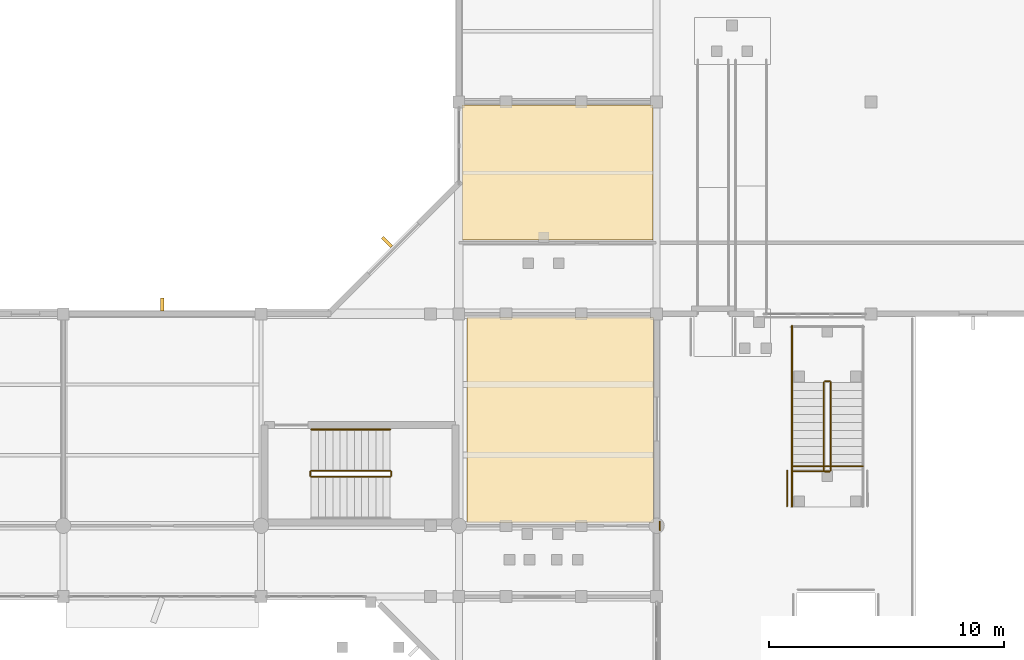
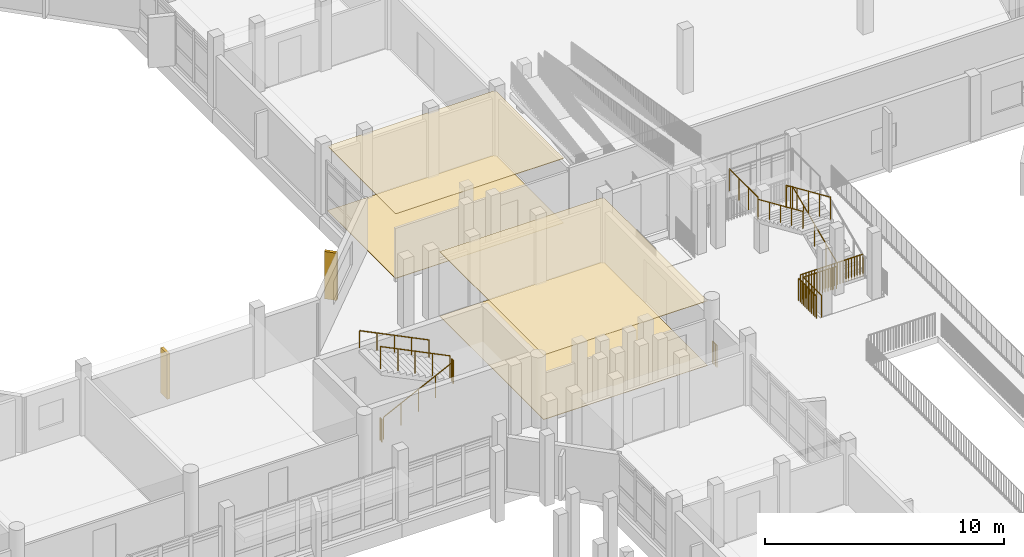
# One storey, part 87 of 104: 16 railings, 4 coverings, 2 shading devices.
"""IFC4 building model written with IfcOpenShell, lengths in metres."""

from ifc_helpers import new_model, si_unit, direction, frame, origin, origin_2d, place, context, subcontext, project, spatial, polyline, rectangle, circle, outline, extrude, material, layer, layer_set, type_object, element, save


model = new_model("IFC4")

# Units and contexts
model_context = context("Model", 3, precision=1e-05, world=origin(), true_north=direction((0.0, 1.0)))
body_context = subcontext(model_context, "Body", "Model", "MODEL_VIEW")
ifc_project = project(units=[si_unit("LENGTHUNIT", "METRE"), si_unit("AREAUNIT", "SQUARE_METRE"), si_unit("VOLUMEUNIT", "CUBIC_METRE"), si_unit("PLANEANGLEUNIT", "RADIAN"), si_unit("MASSUNIT", "GRAM", prefix="KILO")], contexts=[model_context])

# Site, building, storey
site_placement = place(None, origin())
site = spatial("IfcSite", under=ifc_project, at=site_placement, CompositionType="ELEMENT")
building_placement = place(site_placement, origin())
building = spatial("IfcBuilding", under=site, at=building_placement, Name="Vanh Quang Courtyard School", CompositionType="ELEMENT")
storey_placement = place(building_placement, frame((0.0, 0.0, 4.199951171875)))
storey = spatial("IfcBuildingStorey", under=building, at=storey_placement, Name="L01", CompositionType="ELEMENT", Elevation=4.199951171875)

# Coverings
ifc_material_1 = material(Name="Perforated mineral-fibre acoustic ceiling board")
ifc_layer_1 = layer(ifc_material_1, 0.02490234375)
ifc_layer_set_1 = layer_set([ifc_layer_1], Name="Perforated mineral-fibre acoustic ceiling board")
covering_type_1 = type_object("IfcCoveringType", Name="COV-CEIL-ACOUSTIC", PredefinedType="CEILING", material=ifc_layer_set_1)
covering_1_placement = place(storey_placement, frame((0.0, 0.0, 3.295166015625)))
element("IfcCovering", 1, at=covering_1_placement, inside=storey, type_object=covering_type_1, Name="Covering CV-CL1 (L01)", PredefinedType="CEILING", context=body_context, shape_type="SweptSolid", body=[
    extrude(outline(polyline([(111.35009765625, 32.530029296875), (111.35009765625, 41.25), (119.260009765625, 41.25), (119.260986328125, 41.25), (119.261962890625, 41.249755859375), (119.262939453125, 41.24951171875), (119.263916015625, 41.249267578125), (119.2646484375, 41.248779296875), (119.265625, 41.248291015625), (119.266357421875, 41.247802734375), (119.26708984375, 41.2470703125), (119.267578125, 41.246337890625), (119.268310546875, 41.24560546875), (119.268798828125, 41.24462890625), (119.269287109375, 41.243896484375), (119.26953125, 41.242919921875), (119.269775390625, 41.241943359375), (119.27001953125, 41.240966796875), (119.27001953125, 41.239990234375), (119.27001953125, 32.5400390625), (119.27001953125, 32.5390625), (119.269775390625, 32.5380859375), (119.26953125, 32.537109375), (119.269287109375, 32.5361328125), (119.268798828125, 32.535400390625), (119.268310546875, 32.534423828125), (119.267578125, 32.53369140625), (119.26708984375, 32.532958984375), (119.266357421875, 32.5322265625), (119.265625, 32.53173828125), (119.2646484375, 32.53125), (119.263916015625, 32.53076171875), (119.262939453125, 32.530517578125), (119.261962890625, 32.5302734375), (119.260986328125, 32.530029296875), (119.260009765625, 32.530029296875), (111.35009765625, 32.530029296875)])), origin(), (0.0, 0.0, 1.0), 0.02490234375),
])
covering_2_placement = place(storey_placement, frame((0.0, 0.0, 3.295166015625)))
element("IfcCovering", 2, at=covering_2_placement, inside=storey, type_object=covering_type_1, Name="Covering CV-CL1 (L01)", PredefinedType="CEILING", context=body_context, shape_type="SweptSolid", body=[
    extrude(outline(polyline([(119.25, 44.56005859375), (119.25, 44.55908203125), (119.249755859375, 44.55810546875), (119.24951171875, 44.55712890625), (119.249267578125, 44.55615234375), (119.248779296875, 44.555419921875), (119.248291015625, 44.554443359375), (119.247802734375, 44.5537109375), (119.2470703125, 44.552978515625), (119.246337890625, 44.55224609375), (119.24560546875, 44.5517578125), (119.24462890625, 44.55126953125), (119.243896484375, 44.55078125), (119.242919921875, 44.55029296875), (119.241943359375, 44.55029296875), (119.240966796875, 44.550048828125), (119.239990234375, 44.550048828125), (111.139892578125, 44.550048828125), (111.138916015625, 44.550048828125), (111.137939453125, 44.55029296875), (111.13720703125, 44.55029296875), (111.13623046875, 44.55078125), (111.13525390625, 44.55126953125), (111.134521484375, 44.5517578125), (111.1337890625, 44.55224609375), (111.1328125, 44.552978515625), (111.13232421875, 44.5537109375), (111.131591796875, 44.554443359375), (111.131103515625, 44.555419921875), (111.130859375, 44.55615234375), (111.13037109375, 44.55712890625), (111.130126953125, 44.55810546875), (111.1298828125, 44.55908203125), (111.1298828125, 44.56005859375), (111.1298828125, 50.260009765625), (111.1298828125, 50.260986328125), (111.130126953125, 50.261962890625), (111.13037109375, 50.262939453125), (111.130859375, 50.263916015625), (111.131103515625, 50.2646484375), (111.131591796875, 50.265625), (111.13232421875, 50.266357421875), (111.1328125, 50.26708984375), (111.1337890625, 50.267578125), (111.134521484375, 50.268310546875), (111.13525390625, 50.268798828125), (111.13623046875, 50.269287109375), (111.13720703125, 50.26953125), (111.137939453125, 50.269775390625), (111.138916015625, 50.27001953125), (111.139892578125, 50.27001953125), (119.239990234375, 50.27001953125), (119.240966796875, 50.27001953125), (119.241943359375, 50.269775390625), (119.242919921875, 50.26953125), (119.243896484375, 50.269287109375), (119.24462890625, 50.268798828125), (119.24560546875, 50.268310546875), (119.246337890625, 50.267578125), (119.2470703125, 50.26708984375), (119.247802734375, 50.266357421875), (119.248291015625, 50.265625), (119.248779296875, 50.2646484375), (119.249267578125, 50.263916015625), (119.24951171875, 50.262939453125), (119.249755859375, 50.261962890625), (119.25, 50.260986328125), (119.25, 50.260009765625), (119.25, 44.56005859375)])), origin(), (0.0, 0.0, 1.0), 0.02490234375),
])
ifc_material_2 = material(Name="Polished cementitious terrazzo tile", Category="concrete")
ifc_layer_2 = layer(ifc_material_2, 0.02001953125)
ifc_layer_set_2 = layer_set([ifc_layer_2], Name="Polished cementitious terrazzo tile")
covering_type_2 = type_object("IfcCoveringType", Name="COV-FLR-TERRAZZO", PredefinedType="FLOORING", material=ifc_layer_set_2)
covering_3_placement = place(storey_placement, origin())
element("IfcCovering", 3, at=covering_3_placement, inside=storey, type_object=covering_type_2, Name="Covering CV-FL1 (L01)", PredefinedType="FLOORING", context=body_context, shape_type="SweptSolid", body=[
    extrude(outline(polyline([(111.35009765625, 32.530029296875), (111.35009765625, 41.25), (119.260009765625, 41.25), (119.260986328125, 41.25), (119.261962890625, 41.249755859375), (119.262939453125, 41.24951171875), (119.263916015625, 41.249267578125), (119.2646484375, 41.248779296875), (119.265625, 41.248291015625), (119.266357421875, 41.247802734375), (119.26708984375, 41.2470703125), (119.267578125, 41.246337890625), (119.268310546875, 41.24560546875), (119.268798828125, 41.24462890625), (119.269287109375, 41.243896484375), (119.26953125, 41.242919921875), (119.269775390625, 41.241943359375), (119.27001953125, 41.240966796875), (119.27001953125, 41.239990234375), (119.27001953125, 32.5400390625), (119.27001953125, 32.5390625), (119.269775390625, 32.5380859375), (119.26953125, 32.537109375), (119.269287109375, 32.5361328125), (119.268798828125, 32.535400390625), (119.268310546875, 32.534423828125), (119.267578125, 32.53369140625), (119.26708984375, 32.532958984375), (119.266357421875, 32.5322265625), (119.265625, 32.53173828125), (119.2646484375, 32.53125), (119.263916015625, 32.53076171875), (119.262939453125, 32.530517578125), (119.261962890625, 32.5302734375), (119.260986328125, 32.530029296875), (119.260009765625, 32.530029296875), (111.35009765625, 32.530029296875)])), origin(), (0.0, 0.0, 1.0), 0.02001953125),
])
covering_4_placement = place(storey_placement, origin())
element("IfcCovering", 4, at=covering_4_placement, inside=storey, type_object=covering_type_2, Name="Covering CV-FL1 (L01)", PredefinedType="FLOORING", context=body_context, shape_type="SweptSolid", body=[
    extrude(outline(polyline([(119.25, 44.56005859375), (119.25, 44.55908203125), (119.249755859375, 44.55810546875), (119.24951171875, 44.55712890625), (119.249267578125, 44.55615234375), (119.248779296875, 44.555419921875), (119.248291015625, 44.554443359375), (119.247802734375, 44.5537109375), (119.2470703125, 44.552978515625), (119.246337890625, 44.55224609375), (119.24560546875, 44.5517578125), (119.24462890625, 44.55126953125), (119.243896484375, 44.55078125), (119.242919921875, 44.55029296875), (119.241943359375, 44.55029296875), (119.240966796875, 44.550048828125), (119.239990234375, 44.550048828125), (111.139892578125, 44.550048828125), (111.138916015625, 44.550048828125), (111.137939453125, 44.55029296875), (111.13720703125, 44.55029296875), (111.13623046875, 44.55078125), (111.13525390625, 44.55126953125), (111.134521484375, 44.5517578125), (111.1337890625, 44.55224609375), (111.1328125, 44.552978515625), (111.13232421875, 44.5537109375), (111.131591796875, 44.554443359375), (111.131103515625, 44.555419921875), (111.130859375, 44.55615234375), (111.13037109375, 44.55712890625), (111.130126953125, 44.55810546875), (111.1298828125, 44.55908203125), (111.1298828125, 44.56005859375), (111.1298828125, 50.260009765625), (111.1298828125, 50.260986328125), (111.130126953125, 50.261962890625), (111.13037109375, 50.262939453125), (111.130859375, 50.263916015625), (111.131103515625, 50.2646484375), (111.131591796875, 50.265625), (111.13232421875, 50.266357421875), (111.1328125, 50.26708984375), (111.1337890625, 50.267578125), (111.134521484375, 50.268310546875), (111.13525390625, 50.268798828125), (111.13623046875, 50.269287109375), (111.13720703125, 50.26953125), (111.137939453125, 50.269775390625), (111.138916015625, 50.27001953125), (111.139892578125, 50.27001953125), (119.239990234375, 50.27001953125), (119.240966796875, 50.27001953125), (119.241943359375, 50.269775390625), (119.242919921875, 50.26953125), (119.243896484375, 50.269287109375), (119.24462890625, 50.268798828125), (119.24560546875, 50.268310546875), (119.246337890625, 50.267578125), (119.2470703125, 50.26708984375), (119.247802734375, 50.266357421875), (119.248291015625, 50.265625), (119.248779296875, 50.2646484375), (119.249267578125, 50.263916015625), (119.24951171875, 50.262939453125), (119.249755859375, 50.261962890625), (119.25, 50.260986328125), (119.25, 50.260009765625), (119.25, 44.56005859375)])), origin(), (0.0, 0.0, 1.0), 0.02001953125),
])

# Railings
ifc_material_3 = material(Name="Galvanised painted steel EN 10025-2 S355J2", Category="steel")
railing_type_1 = type_object("IfcRailingType", Name="RAIL-GUARD-1150", PredefinedType="BALUSTRADE", material=ifc_material_3)
railing_1_placement = place(storey_placement, frame((119.5400390625, 32.2197265625, 0.0)))
element("IfcRailing", 5, at=railing_1_placement, inside=storey, type_object=railing_type_1, Name="Railing GR-01 (L01)", PredefinedType="BALUSTRADE", context=body_context, shape_type="SweptSolid", body=[
    extrude(circle(Radius=0.02392578125, at=origin_2d()), frame((0.0, 0.0, 1.1259765625), z_axis=(0.0, 1.0, 0.0), x_axis=(-1.0, 0.0, 0.0)), (0.0, 0.0, 1.0), 0.360595703125),
    extrude(circle(Radius=0.02099609375, at=origin_2d()), origin(), (0.0, 0.0, 1.0), 1.101806640625),
    extrude(circle(Radius=0.02099609375, at=origin_2d()), frame((0.0, 0.1201171875, 0.0)), (0.0, 0.0, 1.0), 1.101806640625),
    extrude(circle(Radius=0.02099609375, at=origin_2d()), frame((0.0, 0.240478515625, 0.0)), (0.0, 0.0, 1.0), 1.101806640625),
    extrude(circle(Radius=0.02099609375, at=origin_2d()), frame((0.0, 0.360595703125, 0.0)), (0.0, 0.0, 1.0), 1.101806640625),
])
railing_2_placement = place(storey_placement, frame((128.1630859375, 34.93505859375, 0.0)))
element("IfcRailing", 6, at=railing_2_placement, inside=storey, type_object=railing_type_1, Name="Railing GR-01 (L01)", PredefinedType="BALUSTRADE", context=body_context, shape_type="SweptSolid", body=[
    extrude(circle(Radius=0.02392578125, at=origin_2d()), frame((0.0, 0.0, 1.1259765625), z_axis=(-0.999999791984, -0.000645005106, 0.0), x_axis=(0.000645005106, -0.999999791984, 0.0)), (0.0, 0.0, 1.0), 3.028076171875),
    extrude(circle(Radius=0.02099609375, at=origin_2d()), origin(), (0.0, 0.0, 1.0), 1.101806640625),
    extrude(circle(Radius=0.02099609375, at=origin_2d()), frame((-0.1376953125, 0.0, 0.0)), (0.0, 0.0, 1.0), 1.101806640625),
    extrude(circle(Radius=0.02099609375, at=origin_2d()), frame((-0.275390625, -0.000244140625, 0.0)), (0.0, 0.0, 1.0), 1.101806640625),
    extrude(circle(Radius=0.02099609375, at=origin_2d()), frame((-0.412841796875, -0.000244140625, 0.0)), (0.0, 0.0, 1.0), 1.101806640625),
    extrude(circle(Radius=0.02099609375, at=origin_2d()), frame((-0.550537109375, -0.000244140625, 0.0)), (0.0, 0.0, 1.0), 1.101806640625),
    extrude(circle(Radius=0.02099609375, at=origin_2d()), frame((-0.688232421875, -0.00048828125, 0.0)), (0.0, 0.0, 1.0), 1.101806640625),
    extrude(circle(Radius=0.02099609375, at=origin_2d()), frame((-0.825927734375, -0.00048828125, 0.0)), (0.0, 0.0, 1.0), 1.101806640625),
    extrude(circle(Radius=0.02099609375, at=origin_2d()), frame((-0.96337890625, -0.000732421875, 0.0)), (0.0, 0.0, 1.0), 1.101806640625),
    extrude(circle(Radius=0.02099609375, at=origin_2d()), frame((-1.10107421875, -0.000732421875, 0.0)), (0.0, 0.0, 1.0), 1.101806640625),
    extrude(circle(Radius=0.02099609375, at=origin_2d()), frame((-1.23876953125, -0.000732421875, 0.0)), (0.0, 0.0, 1.0), 1.101806640625),
    extrude(circle(Radius=0.02099609375, at=origin_2d()), frame((-1.37646484375, -0.0009765625, 0.0)), (0.0, 0.0, 1.0), 1.101806640625),
    extrude(circle(Radius=0.02099609375, at=origin_2d()), frame((-1.51416015625, -0.0009765625, 0.0)), (0.0, 0.0, 1.0), 1.101806640625),
    extrude(circle(Radius=0.02099609375, at=origin_2d()), frame((-1.651611328125, -0.0009765625, 0.0)), (0.0, 0.0, 1.0), 1.101806640625),
    extrude(circle(Radius=0.02099609375, at=origin_2d()), frame((-1.789306640625, -0.001220703125, 0.0)), (0.0, 0.0, 1.0), 1.101806640625),
    extrude(circle(Radius=0.02099609375, at=origin_2d()), frame((-1.927001953125, -0.001220703125, 0.0)), (0.0, 0.0, 1.0), 1.101806640625),
    extrude(circle(Radius=0.02099609375, at=origin_2d()), frame((-2.064697265625, -0.001220703125, 0.0)), (0.0, 0.0, 1.0), 1.101806640625),
    extrude(circle(Radius=0.02099609375, at=origin_2d()), frame((-2.2021484375, -0.00146484375, 0.0)), (0.0, 0.0, 1.0), 1.101806640625),
    extrude(circle(Radius=0.02099609375, at=origin_2d()), frame((-2.33984375, -0.00146484375, 0.0)), (0.0, 0.0, 1.0), 1.101806640625),
    extrude(circle(Radius=0.02099609375, at=origin_2d()), frame((-2.4775390625, -0.001708984375, 0.0)), (0.0, 0.0, 1.0), 1.101806640625),
    extrude(circle(Radius=0.02099609375, at=origin_2d()), frame((-2.615234375, -0.001708984375, 0.0)), (0.0, 0.0, 1.0), 1.101806640625),
    extrude(circle(Radius=0.02099609375, at=origin_2d()), frame((-2.752685546875, -0.001708984375, 0.0)), (0.0, 0.0, 1.0), 1.101806640625),
    extrude(circle(Radius=0.02099609375, at=origin_2d()), frame((-2.890380859375, -0.001953125, 0.0)), (0.0, 0.0, 1.0), 1.101806640625),
    extrude(circle(Radius=0.02099609375, at=origin_2d()), frame((-3.028076171875, -0.001953125, 0.0)), (0.0, 0.0, 1.0), 1.101806640625),
])
railing_3_placement = place(storey_placement, frame((124.945068359375, 34.7431640625, 0.0)))
element("IfcRailing", 7, at=railing_3_placement, inside=storey, type_object=railing_type_1, Name="Railing GR-01 (L01)", PredefinedType="BALUSTRADE", context=body_context, shape_type="SweptSolid", body=[
    extrude(circle(Radius=0.02392578125, at=origin_2d()), frame((0.0, 0.0, 1.1259765625), z_axis=(0.0, -1.0, 0.0), x_axis=(1.0, 0.0, 0.0)), (0.0, 0.0, 1.0), 1.508056640625),
    extrude(circle(Radius=0.02099609375, at=origin_2d()), origin(), (0.0, 0.0, 1.0), 1.101806640625),
    extrude(circle(Radius=0.02099609375, at=origin_2d()), frame((0.0, -0.13720703125, 0.0)), (0.0, 0.0, 1.0), 1.101806640625),
    extrude(circle(Radius=0.02099609375, at=origin_2d()), frame((0.0, -0.274169921875, 0.0)), (0.0, 0.0, 1.0), 1.101806640625),
    extrude(circle(Radius=0.02099609375, at=origin_2d()), frame((0.0, -0.411376953125, 0.0)), (0.0, 0.0, 1.0), 1.101806640625),
    extrude(circle(Radius=0.02099609375, at=origin_2d()), frame((0.0, -0.54833984375, 0.0)), (0.0, 0.0, 1.0), 1.101806640625),
    extrude(circle(Radius=0.02099609375, at=origin_2d()), frame((0.0, -0.685546875, 0.0)), (0.0, 0.0, 1.0), 1.101806640625),
    extrude(circle(Radius=0.02099609375, at=origin_2d()), frame((0.0, -0.822509765625, 0.0)), (0.0, 0.0, 1.0), 1.101806640625),
    extrude(circle(Radius=0.02099609375, at=origin_2d()), frame((0.0, -0.959716796875, 0.0)), (0.0, 0.0, 1.0), 1.101806640625),
    extrude(circle(Radius=0.02099609375, at=origin_2d()), frame((0.0, -1.0966796875, 0.0)), (0.0, 0.0, 1.0), 1.101806640625),
    extrude(circle(Radius=0.02099609375, at=origin_2d()), frame((0.0, -1.23388671875, 0.0)), (0.0, 0.0, 1.0), 1.101806640625),
    extrude(circle(Radius=0.02099609375, at=origin_2d()), frame((0.0, -1.370849609375, 0.0)), (0.0, 0.0, 1.0), 1.101806640625),
    extrude(circle(Radius=0.02099609375, at=origin_2d()), frame((0.0, -1.508056640625, 0.0)), (0.0, 0.0, 1.0), 1.101806640625),
])
railing_4_placement = place(storey_placement, frame((104.72998046875, 34.47998046875, 0.150146484375)))
element("IfcRailing", 8, at=railing_4_placement, inside=storey, type_object=railing_type_1, Name="L01 ST-08 stair guard 1", PredefinedType="BALUSTRADE", context=body_context, shape_type="SweptSolid", body=[
    extrude(circle(Radius=0.02392578125, at=origin_2d()), frame((0.0, 0.0, 1.1259765625), z_axis=(0.897359292542, 0.0, 0.441300691239), x_axis=(0.0, 1.0, 0.0)), (0.0, 0.0, 1.0), 3.73876953125),
    extrude(circle(Radius=0.02099609375, at=origin_2d()), origin(), (0.0, 0.0, 1.0), 1.101806640625),
    extrude(circle(Radius=0.02099609375, at=origin_2d()), frame((0.8388671875, 0.0, 0.41259765625)), (0.0, 0.0, 1.0), 1.101806640625),
    extrude(circle(Radius=0.02099609375, at=origin_2d()), frame((1.677490234375, 0.0, 0.824951171875)), (0.0, 0.0, 1.0), 1.101806640625),
    extrude(circle(Radius=0.02099609375, at=origin_2d()), frame((2.51611328125, 0.0, 1.2373046875)), (0.0, 0.0, 1.0), 1.101806640625),
    extrude(circle(Radius=0.02099609375, at=origin_2d()), frame((3.35498046875, 0.0, 1.64990234375)), (0.0, 0.0, 1.0), 1.101806640625),
])
railing_5_placement = place(storey_placement, frame((108.135009765625, 34.530029296875, 1.800048828125)))
element("IfcRailing", 9, at=railing_5_placement, inside=storey, type_object=railing_type_1, Name="L01 ST-08 stair guard 2", PredefinedType="BALUSTRADE", context=body_context, shape_type="SweptSolid", body=[
    extrude(circle(Radius=0.02392578125, at=origin_2d()), frame((0.0, 0.0, 1.1259765625), z_axis=(0.0, 1.0, 0.0), x_axis=(-1.0, 0.0, 0.0)), (0.0, 0.0, 1.0), 0.159912109375),
    extrude(circle(Radius=0.02099609375, at=origin_2d()), origin(), (0.0, 0.0, 1.0), 1.101806640625),
    extrude(circle(Radius=0.02099609375, at=origin_2d()), frame((0.0, 0.159912109375, 0.0)), (0.0, 0.0, 1.0), 1.101806640625),
])
railing_6_placement = place(storey_placement, frame((108.0849609375, 34.739990234375, 1.949951171875)))
element("IfcRailing", 10, at=railing_6_placement, inside=storey, type_object=railing_type_1, Name="L01 ST-08 stair guard 3", PredefinedType="BALUSTRADE", context=body_context, shape_type="SweptSolid", body=[
    extrude(circle(Radius=0.02392578125, at=origin_2d()), frame((0.0, 0.0, 1.1259765625), z_axis=(-0.89733343241, 0.0, 0.441353272424), x_axis=(0.0, -1.0, 0.0)), (0.0, 0.0, 1.0), 3.73876953125),
    extrude(circle(Radius=0.02099609375, at=origin_2d()), origin(), (0.0, 0.0, 1.0), 1.101806640625),
    extrude(circle(Radius=0.02099609375, at=origin_2d()), frame((-0.8388671875, 0.0, 0.41259765625)), (0.0, 0.0, 1.0), 1.101806640625),
    extrude(circle(Radius=0.02099609375, at=origin_2d()), frame((-1.677490234375, 0.0, 0.8251953125)), (0.0, 0.0, 1.0), 1.101806640625),
    extrude(circle(Radius=0.02099609375, at=origin_2d()), frame((-2.51611328125, 0.0, 1.237548828125)), (0.0, 0.0, 1.0), 1.101806640625),
    extrude(circle(Radius=0.02099609375, at=origin_2d()), frame((-3.35498046875, 0.0, 1.650146484375)), (0.0, 0.0, 1.0), 1.101806640625),
])
railing_7_placement = place(storey_placement, frame((104.679931640625, 34.530029296875, 0.0)))
element("IfcRailing", 11, at=railing_7_placement, inside=storey, type_object=railing_type_1, Name="L01 ST-08 stair guard 4", PredefinedType="BALUSTRADE", context=body_context, shape_type="SweptSolid", body=[
    extrude(circle(Radius=0.02392578125, at=origin_2d()), frame((0.0, 0.0, 1.1259765625), z_axis=(0.0, 1.0, 0.0), x_axis=(-1.0, 0.0, 0.0)), (0.0, 0.0, 1.0), 0.159912109375),
    extrude(circle(Radius=0.02099609375, at=origin_2d()), origin(), (0.0, 0.0, 1.0), 1.101806640625),
    extrude(circle(Radius=0.02099609375, at=origin_2d()), frame((0.0, 0.159912109375, 0.0)), (0.0, 0.0, 1.0), 1.101806640625),
])
railing_8_placement = place(storey_placement, frame((126.800048828125, 34.75, 0.150146484375)))
element("IfcRailing", 12, at=railing_8_placement, inside=storey, type_object=railing_type_1, Name="L01 ST-T2 stair guard 1", PredefinedType="BALUSTRADE", context=body_context, shape_type="SweptSolid", body=[
    extrude(circle(Radius=0.02392578125, at=origin_2d()), frame((0.0, 0.0, 1.1259765625), z_axis=(0.0, 0.914926234655, 0.40362109105), x_axis=(-1.0, 0.0, 0.0)), (0.0, 0.0, 1.0), 4.087646484375),
    extrude(circle(Radius=0.02099609375, at=origin_2d()), origin(), (0.0, 0.0, 1.0), 1.101806640625),
    extrude(circle(Radius=0.02099609375, at=origin_2d()), frame((0.0, 0.93505859375, 0.41259765625)), (0.0, 0.0, 1.0), 1.101806640625),
    extrude(circle(Radius=0.02099609375, at=origin_2d()), frame((0.0, 1.8701171875, 0.824951171875)), (0.0, 0.0, 1.0), 1.101806640625),
    extrude(circle(Radius=0.02099609375, at=origin_2d()), frame((0.0, 2.804931640625, 1.2373046875)), (0.0, 0.0, 1.0), 1.101806640625),
    extrude(circle(Radius=0.02099609375, at=origin_2d()), frame((0.0, 3.739990234375, 1.64990234375)), (0.0, 0.0, 1.0), 1.101806640625),
])
railing_9_placement = place(storey_placement, frame((126.75, 38.5400390625, 1.800048828125)))
element("IfcRailing", 13, at=railing_9_placement, inside=storey, type_object=railing_type_1, Name="L01 ST-T2 stair guard 2", PredefinedType="BALUSTRADE", context=body_context, shape_type="SweptSolid", body=[
    extrude(circle(Radius=0.02392578125, at=origin_2d()), frame((0.0, 0.0, 1.1259765625), z_axis=(-1.0, 0.0, 0.0), x_axis=(0.0, -1.0, 0.0)), (0.0, 0.0, 1.0), 0.199951171875),
    extrude(circle(Radius=0.02099609375, at=origin_2d()), origin(), (0.0, 0.0, 1.0), 1.101806640625),
    extrude(circle(Radius=0.02099609375, at=origin_2d()), frame((-0.199951171875, 0.0, 0.0)), (0.0, 0.0, 1.0), 1.101806640625),
])
railing_10_placement = place(storey_placement, frame((125.14990234375, 38.489990234375, 1.800048828125)))
element("IfcRailing", 14, at=railing_10_placement, inside=storey, type_object=railing_type_1, Name="L01 ST-T2 stair guard 4", PredefinedType="BALUSTRADE", context=body_context, shape_type="SweptSolid", body=[
    extrude(circle(Radius=0.02392578125, at=origin_2d()), frame((0.0, 0.0, 1.1259765625), z_axis=(0.0, 1.0, 0.0), x_axis=(-1.0, 0.0, 0.0)), (0.0, 0.0, 1.0), 2.409912109375),
    extrude(circle(Radius=0.02099609375, at=origin_2d()), origin(), (0.0, 0.0, 1.0), 1.101806640625),
    extrude(circle(Radius=0.02099609375, at=origin_2d()), frame((0.0, 0.80322265625, 0.0)), (0.0, 0.0, 1.0), 1.101806640625),
    extrude(circle(Radius=0.02099609375, at=origin_2d()), frame((0.0, 1.606689453125, 0.0)), (0.0, 0.0, 1.0), 1.101806640625),
    extrude(circle(Radius=0.02099609375, at=origin_2d()), frame((0.0, 2.409912109375, 0.0)), (0.0, 0.0, 1.0), 1.101806640625),
])
railing_11_placement = place(storey_placement, frame((126.5, 38.489990234375, 1.949951171875)))
element("IfcRailing", 15, at=railing_11_placement, inside=storey, type_object=railing_type_1, Name="L01 ST-T2 stair guard 6", PredefinedType="BALUSTRADE", context=body_context, shape_type="SweptSolid", body=[
    extrude(circle(Radius=0.02392578125, at=origin_2d()), frame((0.0, 0.0, 1.1259765625), z_axis=(0.0, -0.914904178387, 0.403671084387), x_axis=(1.0, 0.0, 0.0)), (0.0, 0.0, 1.0), 4.087890625),
    extrude(circle(Radius=0.02099609375, at=origin_2d()), origin(), (0.0, 0.0, 1.0), 1.101806640625),
    extrude(circle(Radius=0.02099609375, at=origin_2d()), frame((0.0, -0.93505859375, 0.41259765625)), (0.0, 0.0, 1.0), 1.101806640625),
    extrude(circle(Radius=0.02099609375, at=origin_2d()), frame((0.0, -1.8701171875, 0.8251953125)), (0.0, 0.0, 1.0), 1.101806640625),
    extrude(circle(Radius=0.02099609375, at=origin_2d()), frame((0.0, -2.804931640625, 1.237548828125)), (0.0, 0.0, 1.0), 1.101806640625),
    extrude(circle(Radius=0.02099609375, at=origin_2d()), frame((0.0, -3.739990234375, 1.650146484375)), (0.0, 0.0, 1.0), 1.101806640625),
])
railing_12_placement = place(storey_placement, frame((126.75, 34.699951171875, 0.0)))
element("IfcRailing", 16, at=railing_12_placement, inside=storey, type_object=railing_type_1, Name="L01 ST-T2 stair guard 7", PredefinedType="BALUSTRADE", context=body_context, shape_type="SweptSolid", body=[
    extrude(circle(Radius=0.02392578125, at=origin_2d()), frame((0.0, 0.0, 1.1259765625), z_axis=(-1.0, 0.0, 0.0), x_axis=(0.0, -1.0, 0.0)), (0.0, 0.0, 1.0), 0.199951171875),
    extrude(circle(Radius=0.02099609375, at=origin_2d()), origin(), (0.0, 0.0, 1.0), 1.101806640625),
    extrude(circle(Radius=0.02099609375, at=origin_2d()), frame((-0.199951171875, 0.0, 0.0)), (0.0, 0.0, 1.0), 1.101806640625),
])
railing_13_placement = place(storey_placement, frame((125.14990234375, 33.199951171875, 0.0)))
element("IfcRailing", 17, at=railing_13_placement, inside=storey, type_object=railing_type_1, Name="L01 ST-T2 stair guard 9", PredefinedType="BALUSTRADE", context=body_context, shape_type="SweptSolid", body=[
    extrude(circle(Radius=0.02392578125, at=origin_2d()), frame((0.0, 0.0, 1.1259765625), z_axis=(0.0, 1.0, 0.0), x_axis=(-1.0, 0.0, 0.0)), (0.0, 0.0, 1.0), 1.550048828125),
    extrude(circle(Radius=0.02099609375, at=origin_2d()), origin(), (0.0, 0.0, 1.0), 1.101806640625),
    extrude(circle(Radius=0.02099609375, at=origin_2d()), frame((0.0, 0.77490234375, 0.0)), (0.0, 0.0, 1.0), 1.101806640625),
    extrude(circle(Radius=0.02099609375, at=origin_2d()), frame((0.0, 1.550048828125, 0.0)), (0.0, 0.0, 1.0), 1.101806640625),
])
railing_14_placement = place(storey_placement, frame((125.14990234375, 34.719970703125, 0.0)))
element("IfcRailing", 18, at=railing_14_placement, inside=storey, type_object=railing_type_1, Name="Railing GR-01 (L01)", PredefinedType="BALUSTRADE", context=body_context, shape_type="SweptSolid", body=[
    extrude(circle(Radius=0.02392578125, at=origin_2d()), frame((0.0, 0.0, 1.1259765625), z_axis=(1.0, 0.0, 0.0), x_axis=(0.0, 1.0, 0.0)), (0.0, 0.0, 1.0), 1.60009765625),
    extrude(circle(Radius=0.02099609375, at=origin_2d()), origin(), (0.0, 0.0, 1.0), 1.101806640625),
    extrude(circle(Radius=0.02099609375, at=origin_2d()), frame((0.13330078125, 0.0, 0.0)), (0.0, 0.0, 1.0), 1.101806640625),
    extrude(circle(Radius=0.02099609375, at=origin_2d()), frame((0.2666015625, 0.0, 0.0)), (0.0, 0.0, 1.0), 1.101806640625),
    extrude(circle(Radius=0.02099609375, at=origin_2d()), frame((0.39990234375, 0.0, 0.0)), (0.0, 0.0, 1.0), 1.101806640625),
    extrude(circle(Radius=0.02099609375, at=origin_2d()), frame((0.533447265625, 0.0, 0.0)), (0.0, 0.0, 1.0), 1.101806640625),
    extrude(circle(Radius=0.02099609375, at=origin_2d()), frame((0.666748046875, 0.0, 0.0)), (0.0, 0.0, 1.0), 1.101806640625),
    extrude(circle(Radius=0.02099609375, at=origin_2d()), frame((0.800048828125, 0.0, 0.0)), (0.0, 0.0, 1.0), 1.101806640625),
    extrude(circle(Radius=0.02099609375, at=origin_2d()), frame((0.933349609375, 0.0, 0.0)), (0.0, 0.0, 1.0), 1.101806640625),
    extrude(circle(Radius=0.02099609375, at=origin_2d()), frame((1.066650390625, 0.0, 0.0)), (0.0, 0.0, 1.0), 1.101806640625),
    extrude(circle(Radius=0.02099609375, at=origin_2d()), frame((1.2001953125, 0.0, 0.0)), (0.0, 0.0, 1.0), 1.101806640625),
    extrude(circle(Radius=0.02099609375, at=origin_2d()), frame((1.33349609375, 0.0, 0.0)), (0.0, 0.0, 1.0), 1.101806640625),
    extrude(circle(Radius=0.02099609375, at=origin_2d()), frame((1.466796875, 0.0, 0.0)), (0.0, 0.0, 1.0), 1.101806640625),
    extrude(circle(Radius=0.02099609375, at=origin_2d()), frame((1.60009765625, 0.0, 0.0)), (0.0, 0.0, 1.0), 1.101806640625),
])
ifc_material_4 = material(Name="Brushed stainless steel", Category="steel")
railing_type_2 = type_object("IfcRailingType", Name="RAIL-HAND-900", PredefinedType="HANDRAIL", material=ifc_material_4)
railing_15_placement = place(storey_placement, frame((108.0849609375, 36.489990234375, 1.949951171875)))
element("IfcRailing", 19, at=railing_15_placement, inside=storey, type_object=railing_type_2, Name="L01 ST-08 stair handrail 2", PredefinedType="HANDRAIL", context=body_context, shape_type="SweptSolid", body=[
    extrude(circle(Radius=0.02392578125, at=origin_2d()), frame((0.0, 0.0, 0.8759765625), z_axis=(-0.89733343241, 0.0, 0.441353272424), x_axis=(0.0, -1.0, 0.0)), (0.0, 0.0, 1.0), 3.73876953125),
    extrude(circle(Radius=0.02099609375, at=origin_2d()), origin(), (0.0, 0.0, 1.0), 0.851806640625),
    extrude(circle(Radius=0.02099609375, at=origin_2d()), frame((-0.8388671875, 0.0, 0.41259765625)), (0.0, 0.0, 1.0), 0.851806640625),
    extrude(circle(Radius=0.02099609375, at=origin_2d()), frame((-1.677490234375, 0.0, 0.8251953125)), (0.0, 0.0, 1.0), 0.851806640625),
    extrude(circle(Radius=0.02099609375, at=origin_2d()), frame((-2.51611328125, 0.0, 1.237548828125)), (0.0, 0.0, 1.0), 0.851806640625),
    extrude(circle(Radius=0.02099609375, at=origin_2d()), frame((-3.35498046875, 0.0, 1.650146484375)), (0.0, 0.0, 1.0), 0.851806640625),
])
railing_16_placement = place(storey_placement, frame((125.14990234375, 38.489990234375, 1.949951171875)))
element("IfcRailing", 20, at=railing_16_placement, inside=storey, type_object=railing_type_2, Name="L01 ST-T2 stair handrail 2", PredefinedType="HANDRAIL", context=body_context, shape_type="SweptSolid", body=[
    extrude(circle(Radius=0.02392578125, at=origin_2d()), frame((0.0, 0.0, 0.8759765625), z_axis=(0.0, -0.914904178387, 0.403671084387), x_axis=(1.0, 0.0, 0.0)), (0.0, 0.0, 1.0), 4.087890625),
    extrude(circle(Radius=0.02099609375, at=origin_2d()), origin(), (0.0, 0.0, 1.0), 0.851806640625),
    extrude(circle(Radius=0.02099609375, at=origin_2d()), frame((0.0, -0.93505859375, 0.41259765625)), (0.0, 0.0, 1.0), 0.851806640625),
    extrude(circle(Radius=0.02099609375, at=origin_2d()), frame((0.0, -1.8701171875, 0.8251953125)), (0.0, 0.0, 1.0), 0.851806640625),
    extrude(circle(Radius=0.02099609375, at=origin_2d()), frame((0.0, -2.804931640625, 1.237548828125)), (0.0, 0.0, 1.0), 0.851806640625),
    extrude(circle(Radius=0.02099609375, at=origin_2d()), frame((0.0, -3.739990234375, 1.650146484375)), (0.0, 0.0, 1.0), 0.851806640625),
])

# Shading devices
ifc_material_5 = material(Name="Board-marked precast concrete C40/50", Category="concrete")
shading_device_type = type_object("IfcShadingDeviceType", Name="SHD-FIN-CONCRETE", PredefinedType="USERDEFINED", material=ifc_material_5)
shading_device_1_placement = place(storey_placement, frame((98.39990234375, 41.794921875, 0.14990234375), z_axis=(0.0, 0.0, 1.0), x_axis=(1.0, 0.0, 0.0)))
element("IfcShadingDevice", 21, at=shading_device_1_placement, inside=storey, type_object=shading_device_type, Name="Solar Shading SH-02 (L01)", ObjectType="Solar Shading SH-02 (L01)", PredefinedType="USERDEFINED", context=body_context, shape_type="SweptSolid", body=[
    extrude(rectangle(XDim=0.139892578125, YDim=0.550048828125, at=origin_2d()), origin(), (0.0, 0.0, 1.0), 2.320068359375),
])
shading_device_2_placement = place(storey_placement, frame((107.94873046875, 44.451416015625, 0.150146484375), z_axis=(0.0, 0.0, 1.0), x_axis=(0.707106781187, 0.707106781187, 0.0)))
element("IfcShadingDevice", 22, at=shading_device_2_placement, inside=storey, type_object=shading_device_type, Name="Solar Shading SH-02 (L01)", ObjectType="Solar Shading SH-02 (L01)", PredefinedType="USERDEFINED", context=body_context, shape_type="SweptSolid", body=[
    extrude(rectangle(XDim=0.139892578125, YDim=0.550048828125, at=origin_2d()), origin(), (0.0, 0.0, 1.0), 2.419921875),
])

save(model, "model.ifc")
